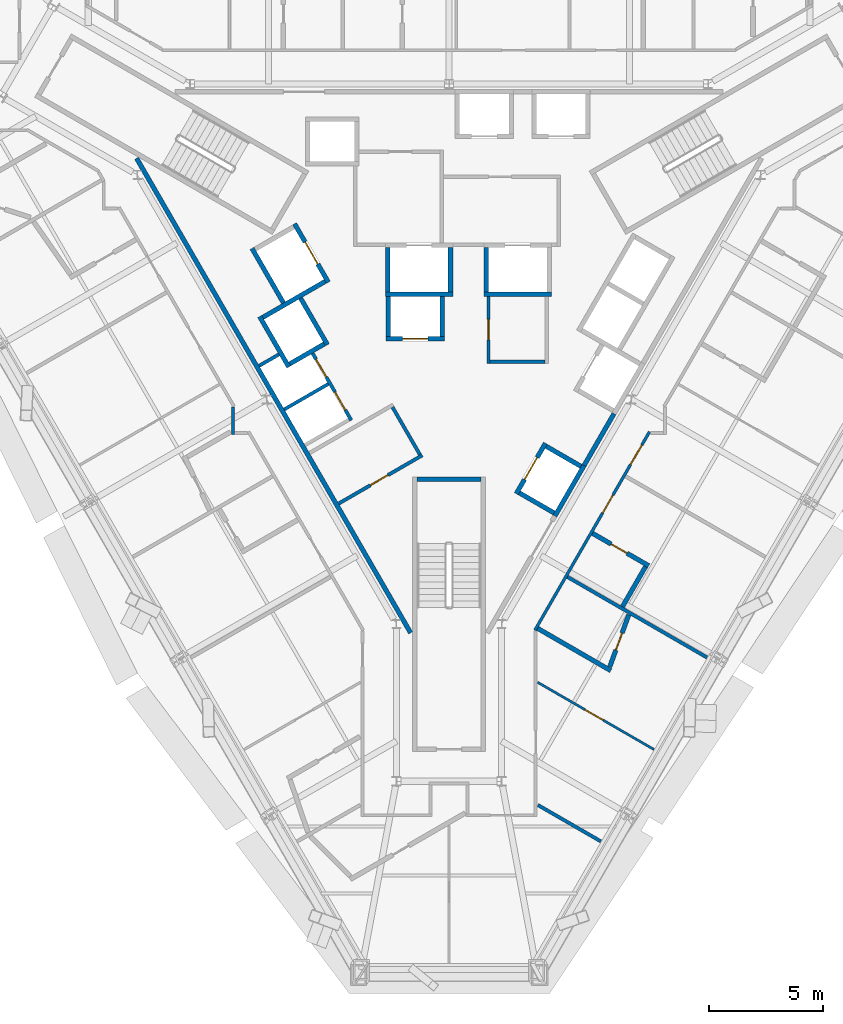
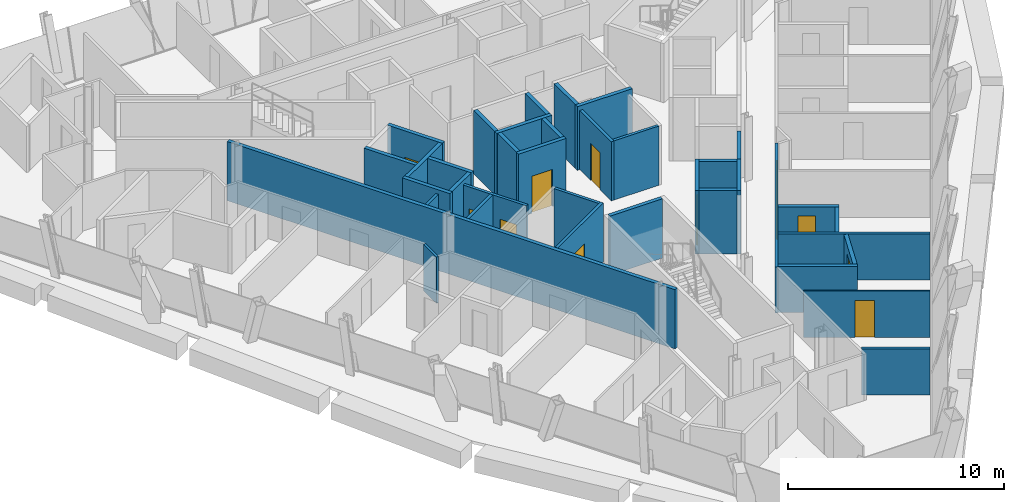
# One storey, part 8 of 13: 37 walls, 12 doors, 12 openings.
"""IFC4 building model written with IfcOpenShell, lengths in metres."""

import ifcopenshell
import ifcopenshell.guid

model = None  # the IFC model being written
_history = None  # IfcOwnerHistory: only IFC2X3 demands one
_inside = {}  # id of a spatial element -> (the spatial element, [elements in it])
_under = {}  # id of a project, library or spatial element -> (it, [spatial elements below it])
_declared = {}  # id of a project -> (the project, [libraries it declares])
_typed = {}  # id of a type object -> (the type object, [elements of that type])
_made_of = {}  # id of a material, layer set ... -> (it, [elements and type objects made of it])


def new_model(schema):
    """Start an empty IFC model of exactly this schema.

    Asked for "IFC4X3", IfcOpenShell would pick the latest addendum, in which some entities
    have other attributes; the version numbers below select the first issue.
    IFC2X3 requires an IfcOwnerHistory on every rooted entity: one is made here for all.
    """
    global model, _history
    if schema == "IFC4X3":
        model = ifcopenshell.file(schema_version=(4, 3, 0, 0))
    else:
        model = ifcopenshell.file(schema=schema)
    _inside.clear()
    _under.clear()
    _declared.clear()
    _typed.clear()
    _made_of.clear()
    _history = None
    if model.schema == "IFC2X3":
        org = make("IfcOrganization", Name="unknown")
        user = make(
            "IfcPersonAndOrganization",
            ThePerson=make("IfcPerson", FamilyName="unknown"),
            TheOrganization=org,
        )
        app = make(
            "IfcApplication",
            ApplicationDeveloper=org,
            Version="unknown",
            ApplicationFullName="unknown",
            ApplicationIdentifier="unknown",
        )
        _history = make(
            "IfcOwnerHistory",
            OwningUser=user,
            OwningApplication=app,
            ChangeAction="ADDED",
            CreationDate=0,
        )
    return model


def make(cls, **values):
    """One entity of the class cls with the attributes given. An attribute that is None is left unset."""
    return model.create_entity(
        cls, **{name: value for name, value in values.items() if value is not None}
    )


def rooted(cls, **values):
    """An entity with a GlobalId (a new one), such as an element, a storey or a relation."""
    return make(cls, GlobalId=ifcopenshell.guid.new(), OwnerHistory=_history, **values)


def si_unit(unit_type, name, prefix=None):
    """IfcSIUnit, for example si_unit("LENGTHUNIT", "METRE", prefix="MILLI")."""
    return make("IfcSIUnit", UnitType=unit_type, Prefix=prefix, Name=name)


def assignment(units):
    """IfcUnitAssignment: the units of a project."""
    return None if units is None else make("IfcUnitAssignment", Units=units)


def point(xyz):
    """IfcCartesianPoint."""
    return None if xyz is None else make("IfcCartesianPoint", Coordinates=xyz)


def direction(xyz):
    """IfcDirection."""
    return None if xyz is None else make("IfcDirection", DirectionRatios=xyz)


def frame(location, z_axis=None, x_axis=None):
    """IfcAxis2Placement3D, a coordinate frame: its origin and axes. An axis left out is left unset."""
    return make(
        "IfcAxis2Placement3D",
        Location=point(location),
        Axis=direction(z_axis),
        RefDirection=direction(x_axis),
    )


def frame_2d(location, x_axis=None):
    """IfcAxis2Placement2D, a coordinate frame in the plane: its origin and x axis."""
    return make(
        "IfcAxis2Placement2D", Location=point(location), RefDirection=direction(x_axis)
    )


def origin():
    """The frame at (0, 0, 0) with its axes left unset."""
    return frame((0.0, 0.0, 0.0))


def place(relative_to, where):
    """IfcLocalPlacement: puts the frame where relative to a parent placement (None: the world)."""
    return make(
        "IfcLocalPlacement", PlacementRelTo=relative_to, RelativePlacement=where
    )


def context(
    kind, dimensions, precision=None, world=None, true_north=None, identifier=None
):
    """IfcGeometricRepresentationContext, for example the 3D "Model" context."""
    return make(
        "IfcGeometricRepresentationContext",
        ContextIdentifier=identifier,
        ContextType=kind,
        CoordinateSpaceDimension=dimensions,
        Precision=precision,
        WorldCoordinateSystem=world,
        TrueNorth=true_north,
    )


def subcontext(parent, identifier, kind, view, scale=None):
    """IfcGeometricRepresentationSubContext, for example "Body" below "Model"."""
    return make(
        "IfcGeometricRepresentationSubContext",
        ContextIdentifier=identifier,
        ContextType=kind,
        ParentContext=parent,
        TargetScale=scale,
        TargetView=view,
    )


def project(units=None, contexts=None):
    """IfcProject with its units and contexts."""
    return rooted(
        "IfcProject",
        Name="project",
        RepresentationContexts=contexts,
        UnitsInContext=assignment(units),
    )


def spatial(cls, under=None, at=None, **own):
    """A site, building, storey or space (cls), placed at a placement, below another one or the project."""
    s = rooted(cls, ObjectPlacement=at, **own)
    if under is not None:
        _under.setdefault(under.id(), (under, []))[1].append(s)
    return s


def profile(cls, at=None, kind="AREA", **sizes):
    """A parametric profile (cls). Its sizes go by their IFC names, for example OverallWidth=200.0."""
    return make(cls, ProfileType=kind, Position=at, **sizes)


def rectangle(**sizes):
    """IfcRectangleProfileDef."""
    return profile("IfcRectangleProfileDef", **sizes)


def extrude(swept, where, along, depth):
    """IfcExtrudedAreaSolid: the profile swept, set in the frame where, extruded along a direction by depth."""
    return make(
        "IfcExtrudedAreaSolid",
        SweptArea=swept,
        Position=where,
        ExtrudedDirection=direction(along),
        Depth=depth,
    )


def shape(context_of_items, identifier, shape_type, items):
    """IfcShapeRepresentation: the items that make up one representation, for example the "Body"."""
    return make(
        "IfcShapeRepresentation",
        ContextOfItems=context_of_items,
        RepresentationIdentifier=identifier,
        RepresentationType=shape_type,
        Items=items,
    )


def material(Name=None, Category=None):
    """IfcMaterial."""
    return make("IfcMaterial", Name=Name, Category=Category)


def layer(
    of_material, thickness, ventilated=None, Name=None, Category=None, Priority=None
):
    """IfcMaterialLayer: one layer of a wall or slab, of a material (None: an air gap)."""
    return make(
        "IfcMaterialLayer",
        Material=of_material,
        LayerThickness=thickness,
        IsVentilated=ventilated,
        Name=Name,
        Category=Category,
        Priority=Priority,
    )


def layer_set(layers, Name=None):
    """IfcMaterialLayerSet."""
    return make("IfcMaterialLayerSet", MaterialLayers=layers, LayerSetName=Name)


def made_of(thing, what):
    """Note that an element or type object is made of a material, layer set ...; save() writes the relation."""
    if what is not None:
        _made_of.setdefault(what.id(), (what, []))[1].append(thing)
    return thing


def type_object(cls, material=None, **own):
    """A type object (cls), such as IfcWallType, which elements share."""
    return made_of(rooted(cls, **own), material)


def element(
    cls,
    number,
    at=None,
    inside=None,
    cuts=None,
    type_object=None,
    material=None,
    context=None,
    identifier="Body",
    shape_type=None,
    held_by="IfcProductDefinitionShape",
    body=None,
    shapes=None,
    **own,
):
    """One element of the class cls, such as IfcWall. Its Tag is "e" and its number.

    at: its placement. inside: the storey or other place that contains it. cuts: it is an
    opening in that element (IfcRelVoidsElement). A single representation is given by context,
    identifier, shape_type and body (its items); several are given by shapes. held_by: the class
    of the entity that holds the representations. save() writes the other relations.
    """
    e = rooted(cls, Tag="e%d" % number, ObjectPlacement=at, **own)
    if body is not None:
        shapes = [shape(context, identifier, shape_type, body)]
    if shapes is not None:
        e.Representation = make(held_by, Representations=shapes)
    if inside is not None:
        _inside.setdefault(inside.id(), (inside, []))[1].append(e)
    if cuts is not None:
        rooted(
            "IfcRelVoidsElement", RelatingBuildingElement=cuts, RelatedOpeningElement=e
        )
    if type_object is not None:
        _typed.setdefault(type_object.id(), (type_object, []))[1].append(e)
    return made_of(e, material)


def fill(opening, filler):
    """IfcRelFillsElement: the door or window that sits in an opening."""
    return rooted(
        "IfcRelFillsElement",
        RelatingOpeningElement=opening,
        RelatedBuildingElement=filler,
    )


def aggregate(whole, parts):
    """IfcRelAggregates: a whole, such as a stair, and the parts it consists of."""
    return rooted("IfcRelAggregates", RelatingObject=whole, RelatedObjects=parts)


def save(model, path):
    """Write the relations noted so far, then the file.

    IfcRelAggregates (storeys below a building ...), IfcRelContainedInSpatialStructure (elements
    in a storey), IfcRelDefinesByType, IfcRelAssociatesMaterial and IfcRelDeclares: one each for
    every whole, place, type object, material and project.
    """
    for whole, parts in _under.values():
        aggregate(whole, parts)
    for where, things in _inside.values():
        rooted(
            "IfcRelContainedInSpatialStructure",
            RelatedElements=things,
            RelatingStructure=where,
        )
    for kind, things in _typed.values():
        rooted("IfcRelDefinesByType", RelatedObjects=things, RelatingType=kind)
    for what, things in _made_of.values():
        rooted("IfcRelAssociatesMaterial", RelatedObjects=things, RelatingMaterial=what)
    for by, libraries in _declared.values():
        rooted("IfcRelDeclares", RelatingContext=by, RelatedDefinitions=libraries)
    model.write(path)


model = new_model("IFC4")

# Units and contexts
model_context = context("Model", 3, precision=1e-05, world=origin(), true_north=direction((0.0, 1.0)))
body_context = subcontext(model_context, "Body", "Model", "MODEL_VIEW")
ifc_project = project(units=[si_unit("LENGTHUNIT", "METRE"), si_unit("AREAUNIT", "SQUARE_METRE"), si_unit("VOLUMEUNIT", "CUBIC_METRE"), si_unit("PLANEANGLEUNIT", "RADIAN"), si_unit("MASSUNIT", "GRAM", prefix="KILO")], contexts=[model_context])

# Site, building, storey
site_placement = place(None, origin())
site = spatial("IfcSite", under=ifc_project, at=site_placement, CompositionType="ELEMENT")
building_placement = place(site_placement, origin())
building = spatial("IfcBuilding", under=site, at=building_placement, Name="Verrane Prism Tower", CompositionType="ELEMENT")
storey_placement = place(building_placement, frame((0.0, 0.0, 100.0)))
storey = spatial("IfcBuildingStorey", under=building, at=storey_placement, Name="L23", CompositionType="ELEMENT", Elevation=100.0)

# Walls
ifc_material_1 = material(Name="Gypsum board partition", Category="other")
ifc_layer_1 = layer(ifc_material_1, 0.199951171875)
ifc_layer_set_1 = layer_set([ifc_layer_1], Name="CW-200 core boundary wall 2 h")
wall_type_1 = type_object("IfcWallType", Name="CW-200 core boundary wall 2 h", PredefinedType="PARTITIONING", material=ifc_layer_set_1)
wall_1_placement = place(storey_placement, frame((-13.66357421875, 5.946044921875, 0.0), z_axis=(0.0, 0.0, 1.0), x_axis=(0.499994327219, -0.866028678941, 0.0)))
element("IfcWall", 1, at=wall_1_placement, inside=storey, type_object=wall_type_1, Name="Core boundary wall CW3-001", PredefinedType="PARTITIONING", context=body_context, shape_type="SweptSolid", body=[
    extrude(rectangle(XDim=23.967529296875, YDim=0.199951171875, at=frame_2d((11.98388671875, 0.0))), origin(), (0.0, 0.0, 1.0), 3.35009765625),
])
wall_2_placement = place(storey_placement, frame((5.906005859375, -7.489990234375, 0.0), z_axis=(0.0, 0.0, 1.0), x_axis=(0.500252727967, 0.865879442048, 0.0)))
element("IfcWall", 2, at=wall_2_placement, inside=storey, type_object=wall_type_1, Name="Core boundary wall CW3-005", PredefinedType="PARTITIONING", context=body_context, shape_type="SweptSolid", body=[
    extrude(rectangle(XDim=2.616943359375, YDim=0.199951171875, at=frame_2d((1.30859375, 0.0))), origin(), (0.0, 0.0, 1.0), 3.35009765625),
])
ifc_material_2 = material(Name="Concrete C40/50", Category="concrete")
ifc_layer_2 = layer(ifc_material_2, 0.199951171875)
ifc_layer_set_2 = layer_set([ifc_layer_2], Name="CW-200 stair core wall concrete C40/50 3 h")
wall_type_2 = type_object("IfcWallType", Name="CW-200 stair core wall concrete C40/50 3 h", PredefinedType="PARTITIONING", material=ifc_layer_set_2)
wall_3_placement = place(storey_placement, frame((-1.39990234375, -8.10009765625, 0.0), z_axis=(0.0, 0.0, 1.0), x_axis=(1.0, 0.0, 0.0)))
element("IfcWall", 3, at=wall_3_placement, inside=storey, type_object=wall_type_2, Name="Stair 3 enclosure wall", PredefinedType="PARTITIONING", context=body_context, shape_type="SweptSolid", body=[
    extrude(rectangle(XDim=2.7998046875, YDim=0.199951171875, at=frame_2d((1.39990234375, 0.0))), origin(), (0.0, 0.0, 1.0), 3.35009765625),
])

# Wall, opening, door
ifc_material_3 = material(Name="Gypsum board shaft wall assembly", Category="other")
ifc_layer_3 = layer(ifc_material_3, 0.199951171875)
ifc_layer_set_3 = layer_set([ifc_layer_3], Name="HW-200 lift shaft wall 2 h")
wall_type_3 = type_object("IfcWallType", Name="HW-200 lift shaft wall 2 h", PredefinedType="PARTITIONING", material=ifc_layer_set_3)
wall_4_placement = place(storey_placement, frame((-2.7548828125, -1.949951171875, 0.0), z_axis=(0.0, 0.0, 1.0), x_axis=(1.0, 0.0, 0.0)))
wall_4 = element("IfcWall", 4, at=wall_4_placement, inside=storey, type_object=wall_type_3, Name="Lift shaft wall", PredefinedType="PARTITIONING", context=body_context, shape_type="SweptSolid", body=[
    extrude(rectangle(XDim=2.5498046875, YDim=0.199951171875, at=frame_2d((1.27490234375, 0.0))), origin(), (0.0, 0.0, 1.0), 3.60009765625),
])
opening_1_placement = place(wall_4_placement, frame((0.72509765625, 0.0, 0.0)))
opening_1 = element("IfcOpeningElement", 5, at=opening_1_placement, cuts=wall_4, Name="Opening D21504", PredefinedType="OPENING", context=body_context, shape_type="SweptSolid", body=[
    extrude(rectangle(XDim=1.10009765625, YDim=2.10009765625, at=frame_2d((0.550048828125, 1.050048828125))), frame((0.0, 0.10986328125, 0.0), z_axis=(0.0, -1.0, 0.0), x_axis=(1.0, 0.0, 0.0)), (0.0, 0.0, 1.0), 0.219970703125),
])
ifc_material_4 = material(Name="Stainless steel sliding landing door", Category="steel")
door_type_1 = type_object("IfcDoorType", Name="LD-1100x2100 lift landing door FD90 sliding", OperationType="NOTDEFINED", PredefinedType="DOOR", material=ifc_material_4)
door_1_placement = place(opening_1_placement, origin())
door_1 = element("IfcDoor", 6, at=door_1_placement, inside=storey, type_object=door_type_1, Name="Bank A lift 2 landing door", OperationType="SLIDING_TO_RIGHT", OverallHeight=2.10009765625, OverallWidth=1.10009765625, PredefinedType="DOOR", context=body_context, shape_type="SweptSolid", body=[
    extrude(rectangle(XDim=1.10009765625, YDim=2.10009765625, at=frame_2d((0.550048828125, 1.050048828125))), frame((0.0, 0.02490234375, 0.0), z_axis=(0.0, -1.0, 0.0), x_axis=(1.0, 0.0, 0.0)), (0.0, 0.0, 1.0), 0.050048828125),
])
fill(opening_1, door_1)

# Walls
wall_5_placement = place(storey_placement, frame((-2.784912109375, 0.0, 0.0), z_axis=(0.0, 0.0, 1.0), x_axis=(1.0, 0.0, 0.0)))
element("IfcWall", 7, at=wall_5_placement, inside=storey, type_object=wall_type_3, Name="Lift shaft wall", PredefinedType="PARTITIONING", context=body_context, shape_type="SweptSolid", body=[
    extrude(rectangle(XDim=2.949951171875, YDim=0.199951171875, at=frame_2d((1.47509765625, 0.0))), origin(), (0.0, 0.0, 1.0), 3.60009765625),
])
wall_6_placement = place(storey_placement, frame((1.52490234375, 0.0, 0.0), z_axis=(0.0, 0.0, 1.0), x_axis=(1.0, 0.0, 0.0)))
element("IfcWall", 8, at=wall_6_placement, inside=storey, type_object=wall_type_3, Name="Lift shaft wall", PredefinedType="PARTITIONING", context=body_context, shape_type="SweptSolid", body=[
    extrude(rectangle(XDim=2.9501953125, YDim=0.199951171875, at=frame_2d((1.47509765625, 0.0))), origin(), (0.0, 0.0, 1.0), 3.60009765625),
])
wall_7_placement = place(storey_placement, frame((-6.9697265625, -3.048095703125, 0.0), z_axis=(0.0, 0.0, 1.0), x_axis=(0.866036909293, 0.499980071345, 0.0)))
element("IfcWall", 9, at=wall_7_placement, inside=storey, type_object=wall_type_3, Name="Lift shaft wall", PredefinedType="PARTITIONING", context=body_context, shape_type="SweptSolid", body=[
    extrude(rectangle(XDim=1.75, YDim=0.199951171875, at=frame_2d((0.875, 0.0))), origin(), (0.0, 0.0, 1.0), 3.60009765625),
])
wall_8_placement = place(storey_placement, frame((-8.14453125, -1.012939453125, 0.0), z_axis=(0.0, 0.0, 1.0), x_axis=(0.866016494683, 0.500015430699, 0.0)))
element("IfcWall", 10, at=wall_8_placement, inside=storey, type_object=wall_type_3, Name="Lift shaft wall", PredefinedType="PARTITIONING", context=body_context, shape_type="SweptSolid", body=[
    extrude(rectangle(XDim=3.14990234375, YDim=0.199951171875, at=frame_2d((1.574951171875, 0.0))), origin(), (0.0, 0.0, 1.0), 3.60009765625),
])
wall_9_placement = place(storey_placement, frame((4.63037109375, -9.69970703125, 0.0), z_axis=(0.0, 0.0, 1.0), x_axis=(0.500062241894, 0.865989465428, 0.0)))
element("IfcWall", 11, at=wall_9_placement, inside=storey, type_object=wall_type_3, Name="Lift shaft wall", PredefinedType="PARTITIONING", context=body_context, shape_type="SweptSolid", body=[
    extrude(rectangle(XDim=2.550048828125, YDim=0.199951171875, at=frame_2d((1.27490234375, 0.0))), origin(), (0.0, 0.0, 1.0), 3.60009765625),
])

# Wall, opening, door
wall_10_placement = place(storey_placement, frame((2.941650390625, -8.724853515625, 0.0), z_axis=(0.0, 0.0, 1.0), x_axis=(0.500020783669, 0.866013403995, 0.0)))
wall_10 = element("IfcWall", 12, at=wall_10_placement, inside=storey, type_object=wall_type_3, Name="Lift shaft wall", PredefinedType="PARTITIONING", context=body_context, shape_type="SweptSolid", body=[
    extrude(rectangle(XDim=2.55029296875, YDim=0.199951171875, at=frame_2d((1.275146484375, 0.0))), origin(), (0.0, 0.0, 1.0), 3.60009765625),
])
opening_2_placement = place(wall_10_placement, frame((0.72509765625, 0.0, 0.0)))
opening_2 = element("IfcOpeningElement", 13, at=opening_2_placement, cuts=wall_10, Name="Opening D21506", PredefinedType="OPENING", context=body_context, shape_type="SweptSolid", body=[
    extrude(rectangle(XDim=1.10009765625, YDim=2.10009765625, at=frame_2d((0.550048828125, 1.050048828125))), frame((0.0, 0.10986328125, 0.0), z_axis=(0.0, -1.0, 0.0), x_axis=(1.0, 0.0, 0.0)), (0.0, 0.0, 1.0), 0.219970703125),
])
door_2_placement = place(opening_2_placement, origin())
door_2 = element("IfcDoor", 14, at=door_2_placement, inside=storey, type_object=door_type_1, Name="Bank A lift 4 landing door", OperationType="SLIDING_TO_RIGHT", OverallHeight=2.10009765625, OverallWidth=1.10009765625, PredefinedType="DOOR", context=body_context, shape_type="SweptSolid", body=[
    extrude(rectangle(XDim=1.10009765625, YDim=2.10009765625, at=frame_2d((0.550048828125, 1.050048828125))), frame((0.0, 0.02490234375, 0.0), z_axis=(0.0, -1.0, 0.0), x_axis=(1.0, 0.0, 0.0)), (0.0, 0.0, 1.0), 0.050048828125),
])
fill(opening_2, door_2)

# Walls
for number, where, z_axis, x_axis, name in (
    (15, (1.625, 0.10009765625, 0.0), (0.0, 0.0, 1.0), (0.0, 1.0, 0.0), "Lift shaft wall"),
    (16, (0.06494140625, 0.10009765625, 0.0), (0.0, 0.0, 1.0), (0.0, 1.0, 0.0), "Lift shaft wall"),
):
    element("IfcWall", number, at=place(storey_placement, frame(where, z_axis=z_axis, x_axis=x_axis)), inside=storey, type_object=wall_type_3, Name=name, PredefinedType="PARTITIONING", context=body_context, shape_type="SweptSolid", body=[
        extrude(rectangle(XDim=1.949951171875, YDim=0.199951171875, at=frame_2d((0.97509765625, 0.0))), origin(), (0.0, 0.0, 1.0), 3.60009765625),
    ])
for number, where, z_axis, x_axis, name in (
    (17, (-0.304931640625, -1.85009765625, 0.0), (0.0, 0.0, 1.0), (0.0, 1.0, 0.0), "Lift shaft wall"),
    (18, (-2.655029296875, -1.85009765625, 0.0), (0.0, 0.0, 1.0), (0.0, 1.0, 0.0), "Lift shaft wall"),
):
    element("IfcWall", number, at=place(storey_placement, frame(where, z_axis=z_axis, x_axis=x_axis)), inside=storey, type_object=wall_type_3, Name=name, PredefinedType="PARTITIONING", context=body_context, shape_type="SweptSolid", body=[
        extrude(rectangle(XDim=1.75, YDim=0.199951171875, at=frame_2d((0.875, 0.0))), origin(), (0.0, 0.0, 1.0), 3.60009765625),
    ])
wall_11_placement = place(storey_placement, frame((-2.68505859375, 0.10009765625, 0.0), z_axis=(0.0, 0.0, 1.0), x_axis=(0.0, 1.0, 0.0)))
element("IfcWall", 19, at=wall_11_placement, inside=storey, type_object=wall_type_3, Name="Lift shaft wall", PredefinedType="PARTITIONING", context=body_context, shape_type="SweptSolid", body=[
    extrude(rectangle(XDim=1.949951171875, YDim=0.199951171875, at=frame_2d((0.97509765625, 0.0))), origin(), (0.0, 0.0, 1.0), 3.60009765625),
])

# Wall, opening, door
wall_12_placement = place(storey_placement, frame((-5.280029296875, 0.525390625, 0.0), z_axis=(0.0, 0.0, 1.0), x_axis=(-0.500037662692, 0.866003658127, 0.0)))
wall_12 = element("IfcWall", 20, at=wall_12_placement, inside=storey, type_object=wall_type_3, Name="Lift shaft wall", PredefinedType="PARTITIONING", context=body_context, shape_type="SweptSolid", body=[
    extrude(rectangle(XDim=2.949951171875, YDim=0.199951171875, at=frame_2d((1.47509765625, 0.0))), origin(), (0.0, 0.0, 1.0), 3.60009765625),
])
opening_3_placement = place(wall_12_placement, frame((0.925048828125, 0.0, 0.0)))
opening_3 = element("IfcOpeningElement", 21, at=opening_3_placement, cuts=wall_12, Name="Opening D21510", PredefinedType="OPENING", context=body_context, shape_type="SweptSolid", body=[
    extrude(rectangle(XDim=1.10009765625, YDim=2.10009765625, at=frame_2d((0.550048828125, 1.050048828125))), frame((0.0, 0.10986328125, 0.0), z_axis=(0.0, -1.0, 0.0), x_axis=(1.0, 0.0, 0.0)), (0.0, 0.0, 1.0), 0.219970703125),
])
door_3_placement = place(opening_3_placement, origin())
door_3 = element("IfcDoor", 22, at=door_3_placement, inside=storey, type_object=door_type_1, Name="Service lift 1 landing door", OperationType="SLIDING_TO_LEFT", OverallHeight=2.10009765625, OverallWidth=1.10009765625, PredefinedType="DOOR", context=body_context, shape_type="SweptSolid", body=[
    extrude(rectangle(XDim=1.10009765625, YDim=2.10009765625, at=frame_2d((0.550048828125, 1.050048828125))), frame((0.0, 0.02490234375, 0.0), z_axis=(0.0, -1.0, 0.0), x_axis=(1.0, 0.0, 0.0)), (0.0, 0.0, 1.0), 0.050048828125),
])
fill(opening_3, door_3)

# Walls
wall_13_placement = place(storey_placement, frame((-5.317626953125, -2.209716796875, 0.0), z_axis=(0.0, 0.0, 1.0), x_axis=(-0.499938297808, 0.866061024631, 0.0)))
element("IfcWall", 23, at=wall_13_placement, inside=storey, type_object=wall_type_3, Name="Lift shaft wall", PredefinedType="PARTITIONING", context=body_context, shape_type="SweptSolid", body=[
    extrude(rectangle(XDim=2.349853515625, YDim=0.199951171875, at=frame_2d((1.1748046875, 0.0))), origin(), (0.0, 0.0, 1.0), 3.60009765625),
])
wall_14_placement = place(storey_placement, frame((-7.241943359375, -0.37646484375, 0.0), z_axis=(0.0, 0.0, 1.0), x_axis=(-0.499996545922, 0.866027397988, 0.0)))
element("IfcWall", 24, at=wall_14_placement, inside=storey, type_object=wall_type_3, Name="Lift shaft wall", PredefinedType="PARTITIONING", context=body_context, shape_type="SweptSolid", body=[
    extrude(rectangle(XDim=2.75, YDim=0.199951171875, at=frame_2d((1.375, 0.0))), origin(), (0.0, 0.0, 1.0), 3.60009765625),
])
wall_15_placement = place(storey_placement, frame((-7.00634765625, -3.184814453125, 0.0), z_axis=(0.0, 0.0, 1.0), x_axis=(-0.499990435942, 0.866030925526, 0.0)))
element("IfcWall", 25, at=wall_15_placement, inside=storey, type_object=wall_type_3, Name="Lift shaft wall", PredefinedType="PARTITIONING", context=body_context, shape_type="SweptSolid", body=[
    extrude(rectangle(XDim=2.5498046875, YDim=0.199951171875, at=frame_2d((1.27490234375, 0.0))), origin(), (0.0, 0.0, 1.0), 3.60009765625),
])
wall_16_placement = place(storey_placement, frame((5.768798828125, -7.528076171875, 0.0), z_axis=(0.0, 0.0, 1.0), x_axis=(-0.866002029911, 0.500040482552, 0.0)))
element("IfcWall", 26, at=wall_16_placement, inside=storey, type_object=wall_type_3, Name="Lift shaft wall", PredefinedType="PARTITIONING", context=body_context, shape_type="SweptSolid", body=[
    extrude(rectangle(XDim=1.749755859375, YDim=0.199951171875, at=frame_2d((0.875, 0.0))), origin(), (0.0, 0.0, 1.0), 3.60009765625),
])
wall_17_placement = place(storey_placement, frame((4.593994140625, -9.563232421875, 0.0), z_axis=(0.0, 0.0, 1.0), x_axis=(-0.866036909293, 0.499980071345, 0.0)))
element("IfcWall", 27, at=wall_17_placement, inside=storey, type_object=wall_type_3, Name="Lift shaft wall", PredefinedType="PARTITIONING", context=body_context, shape_type="SweptSolid", body=[
    extrude(rectangle(XDim=1.75, YDim=0.199951171875, at=frame_2d((0.875, 0.0))), origin(), (0.0, 0.0, 1.0), 3.60009765625),
])

# Wall, opening, door
ifc_material_5 = material(Name="Gypsum board partition", Category="other")
ifc_layer_4 = layer(ifc_material_5, 0.10009765625)
ifc_layer_set_4 = layer_set([ifc_layer_4], Name="PW-100 room partition")
wall_type_4 = type_object("IfcWallType", Name="PW-100 room partition", PredefinedType="PARTITIONING", material=ifc_layer_set_4)
wall_18_placement = place(storey_placement, frame((3.87451171875, -16.972412109375, 0.0), z_axis=(0.0, 0.0, 1.0), x_axis=(0.86602429061, -0.500001928069, 0.0)))
wall_18 = element("IfcWall", 28, at=wall_18_placement, inside=storey, type_object=wall_type_4, Name="Room partition 058", PredefinedType="PARTITIONING", context=body_context, shape_type="SweptSolid", body=[
    extrude(rectangle(XDim=5.873046875, YDim=0.10009765625, at=frame_2d((2.9365234375, 0.0))), origin(), (0.0, 0.0, 1.0), 2.613037109375),
])
opening_4_placement = place(wall_18_placement, frame((2.39892578125, 0.0, 0.0)))
opening_4 = element("IfcOpeningElement", 29, at=opening_4_placement, cuts=wall_18, Name="Opening D21002", PredefinedType="OPENING", context=body_context, shape_type="SweptSolid", body=[
    extrude(rectangle(XDim=0.89990234375, YDim=2.10009765625, at=frame_2d((0.449951171875, 1.050048828125))), frame((0.0, 0.06005859375, 0.0), z_axis=(0.0, -1.0, 0.0), x_axis=(1.0, 0.0, 0.0)), (0.0, 0.0, 1.0), 0.1201171875),
])
ifc_material_6 = material(Name="Timber veneered door leaf", Category="wood")
door_type_2 = type_object("IfcDoorType", Name="DR-900x2100 single leaf inner", OperationType="NOTDEFINED", PredefinedType="DOOR", material=ifc_material_6)
door_4_placement = place(opening_4_placement, origin())
door_4 = element("IfcDoor", 30, at=door_4_placement, inside=storey, type_object=door_type_2, Name="Suite Living Room door", OperationType="SINGLE_SWING_RIGHT", OverallHeight=2.10009765625, OverallWidth=0.89990234375, PredefinedType="DOOR", context=body_context, shape_type="SweptSolid", body=[
    extrude(rectangle(XDim=0.89990234375, YDim=2.10009765625, at=frame_2d((0.449951171875, 1.050048828125))), frame((0.0, 0.02490234375, 0.0), z_axis=(0.0, -1.0, 0.0), x_axis=(1.0, 0.0, 0.0)), (0.0, 0.0, 1.0), 0.050048828125),
])
fill(opening_4, door_4)

# Wall
ifc_material_7 = material(Name="Gypsum board partition", Category="other")
ifc_layer_5 = layer(ifc_material_7, 0.125)
ifc_layer_set_5 = layer_set([ifc_layer_5], Name="PW-125 corridor wall 1 h")
wall_type_5 = type_object("IfcWallType", Name="PW-125 corridor wall 1 h", PredefinedType="PARTITIONING", material=ifc_layer_set_5)
wall_19_placement = place(storey_placement, frame((-9.44091796875, -6.133544921875, 0.0), z_axis=(0.0, 0.0, 1.0), x_axis=(0.0, 1.0, 0.0)))
element("IfcWall", 31, at=wall_19_placement, inside=storey, type_object=wall_type_5, Name="Corridor wall 033", PredefinedType="PARTITIONING", context=body_context, shape_type="SweptSolid", body=[
    extrude(rectangle(XDim=1.200439453125, YDim=0.125, at=frame_2d((0.60009765625, 0.0))), origin(), (0.0, 0.0, 1.0), 2.613037109375),
])

# Wall, openings, doors
wall_20_placement = place(storey_placement, frame((8.766357421875, -6.016845703125, 0.0), z_axis=(0.0, 0.0, 1.0), x_axis=(-0.500051472265, -0.865995684219, 0.0)))
wall_20 = element("IfcWall", 32, at=wall_20_placement, inside=storey, type_object=wall_type_5, Name="Corridor wall 059", PredefinedType="PARTITIONING", context=body_context, shape_type="SweptSolid", body=[
    extrude(rectangle(XDim=10.02001953125, YDim=0.125, at=frame_2d((5.010009765625, 0.0))), origin(), (0.0, 0.0, 1.0), 2.613037109375),
])
opening_5_placement = place(wall_20_placement, frame((3.1904296875, 0.0, 0.0)))
opening_5 = element("IfcOpeningElement", 33, at=opening_5_placement, cuts=wall_20, Name="Opening D21004", PredefinedType="OPENING", context=body_context, shape_type="SweptSolid", body=[
    extrude(rectangle(XDim=0.89990234375, YDim=2.10009765625, at=frame_2d((0.449951171875, 1.050048828125))), frame((0.0, 0.072509765625, 0.0), z_axis=(0.0, -1.0, 0.0), x_axis=(1.0, 0.0, 0.0)), (0.0, 0.0, 1.0), 0.14501953125),
])
opening_6_placement = place(wall_20_placement, frame((0.658447265625, 0.0, 0.0)))
opening_6 = element("IfcOpeningElement", 34, at=opening_6_placement, cuts=wall_20, Name="Opening D21006", PredefinedType="OPENING", context=body_context, shape_type="SweptSolid", body=[
    extrude(rectangle(XDim=1.0, YDim=2.10009765625, at=frame_2d((0.5, 1.050048828125))), frame((0.0, 0.072509765625, 0.0), z_axis=(0.0, -1.0, 0.0), x_axis=(1.0, 0.0, 0.0)), (0.0, 0.0, 1.0), 0.14501953125),
])
ifc_material_8 = material(Name="Timber veneered door leaf", Category="wood")
door_type_3 = type_object("IfcDoorType", Name="DR-1000x2100 FD20 single leaf unit", OperationType="NOTDEFINED", PredefinedType="DOOR", material=ifc_material_8)
door_5_placement = place(opening_6_placement, origin())
door_5 = element("IfcDoor", 35, at=door_5_placement, inside=storey, type_object=door_type_3, Name="Suite Living Room door", OperationType="SINGLE_SWING_LEFT", OverallHeight=2.10009765625, OverallWidth=1.0, PredefinedType="DOOR", context=body_context, shape_type="SweptSolid", body=[
    extrude(rectangle(XDim=1.0, YDim=2.10009765625, at=frame_2d((0.5, 1.050048828125))), frame((0.0, 0.02490234375, 0.0), z_axis=(0.0, -1.0, 0.0), x_axis=(1.0, 0.0, 0.0)), (0.0, 0.0, 1.0), 0.050048828125),
])
fill(opening_6, door_5)
ifc_material_9 = material(Name="Timber veneered door leaf", Category="wood")
door_type_4 = type_object("IfcDoorType", Name="DR-900x2100 FD20 single leaf unit", OperationType="NOTDEFINED", PredefinedType="DOOR", material=ifc_material_9)
door_6_placement = place(opening_5_placement, origin())
door_6 = element("IfcDoor", 36, at=door_6_placement, inside=storey, type_object=door_type_4, Name="Guest Room door", OperationType="SINGLE_SWING_LEFT", OverallHeight=2.10009765625, OverallWidth=0.89990234375, PredefinedType="DOOR", context=body_context, shape_type="SweptSolid", body=[
    extrude(rectangle(XDim=0.89990234375, YDim=2.10009765625, at=frame_2d((0.449951171875, 1.050048828125))), frame((0.0, 0.02490234375, 0.0), z_axis=(0.0, -1.0, 0.0), x_axis=(1.0, 0.0, 0.0)), (0.0, 0.0, 1.0), 0.050048828125),
])
fill(opening_5, door_6)

# Walls
ifc_material_10 = material(Name="Gypsum board partition", Category="other")
ifc_layer_6 = layer(ifc_material_10, 0.14990234375)
ifc_layer_set_6 = layer_set([ifc_layer_6], Name="PW-150 demising wall 1 h")
wall_type_6 = type_object("IfcWallType", Name="PW-150 demising wall 1 h", PredefinedType="PARTITIONING", material=ifc_layer_set_6)
wall_21_placement = place(storey_placement, frame((3.886962890625, -22.33984375, 0.0), z_axis=(0.0, 0.0, 1.0), x_axis=(0.866065365018, -0.499930778725, 0.0)))
element("IfcWall", 37, at=wall_21_placement, inside=storey, type_object=wall_type_6, Name="Demising wall 057", PredefinedType="PARTITIONING", context=body_context, shape_type="SweptSolid", body=[
    extrude(rectangle(XDim=3.1787109375, YDim=0.14990234375, at=frame_2d((1.58935546875, 0.0))), origin(), (0.0, 0.0, 1.0), 2.613037109375),
])
wall_22_placement = place(storey_placement, frame((5.175048828125, -12.3623046875, 0.0), z_axis=(0.0, 0.0, 1.0), x_axis=(0.866031654768, -0.499989172823, 0.0)))
element("IfcWall", 38, at=wall_22_placement, inside=storey, type_object=wall_type_6, Name="Demising wall 061", PredefinedType="PARTITIONING", context=body_context, shape_type="SweptSolid", body=[
    extrude(rectangle(XDim=7.052001953125, YDim=0.14990234375, at=frame_2d((3.52587890625, 0.0))), origin(), (0.0, 0.0, 1.0), 2.613037109375),
])
ifc_material_11 = material(Name="Gypsum board partition", Category="other")
ifc_layer_7 = layer(ifc_material_11, 0.199951171875)
ifc_layer_set_7 = layer_set([ifc_layer_7], Name="PW-200 plumbing wall")
wall_type_7 = type_object("IfcWallType", Name="PW-200 plumbing wall", PredefinedType="PARTITIONING", material=ifc_layer_set_7)
wall_23_placement = place(storey_placement, frame((3.875244140625, -14.61328125, 0.0), z_axis=(0.0, 0.0, 1.0), x_axis=(0.865890522866, -0.500233547866, 0.0)))
element("IfcWall", 39, at=wall_23_placement, inside=storey, type_object=wall_type_7, Name="Plumbing wall 060", PredefinedType="PARTITIONING", context=body_context, shape_type="SweptSolid", body=[
    extrude(rectangle(XDim=3.693603515625, YDim=0.199951171875, at=frame_2d((1.8466796875, 0.0))), origin(), (0.0, 0.0, 1.0), 2.613037109375),
])

# Wall, opening, door
wall_24_placement = place(storey_placement, frame((8.732666015625, -11.875, 0.0), z_axis=(0.0, 0.0, 1.0), x_axis=(-0.866048046904, 0.499960778915, 0.0)))
wall_24 = element("IfcWall", 40, at=wall_24_placement, inside=storey, type_object=wall_type_7, Name="Plumbing wall 063", PredefinedType="PARTITIONING", context=body_context, shape_type="SweptSolid", body=[
    extrude(rectangle(XDim=2.837646484375, YDim=0.199951171875, at=frame_2d((1.4189453125, 0.0))), origin(), (0.0, 0.0, 1.0), 2.613037109375),
])
opening_7_placement = place(wall_24_placement, frame((1.10009765625, 0.0, 0.0)))
opening_7 = element("IfcOpeningElement", 41, at=opening_7_placement, cuts=wall_24, Name="Opening D21005", PredefinedType="OPENING", context=body_context, shape_type="SweptSolid", body=[
    extrude(rectangle(XDim=0.800048828125, YDim=2.10009765625, at=frame_2d((0.39990234375, 1.050048828125))), frame((0.0, 0.10986328125, 0.0), z_axis=(0.0, -1.0, 0.0), x_axis=(1.0, 0.0, 0.0)), (0.0, 0.0, 1.0), 0.219970703125),
])
ifc_material_12 = material(Name="Timber veneered door leaf", Category="wood")
door_type_5 = type_object("IfcDoorType", Name="DR-800x2100 single leaf bath", OperationType="NOTDEFINED", PredefinedType="DOOR", material=ifc_material_12)
door_7_placement = place(opening_7_placement, origin())
door_7 = element("IfcDoor", 42, at=door_7_placement, inside=storey, type_object=door_type_5, Name="En-Suite door", OperationType="SINGLE_SWING_RIGHT", OverallHeight=2.10009765625, OverallWidth=0.800048828125, PredefinedType="DOOR", context=body_context, shape_type="SweptSolid", body=[
    extrude(rectangle(XDim=0.800048828125, YDim=2.10009765625, at=frame_2d((0.39990234375, 1.050048828125))), frame((0.0, 0.02490234375, 0.0), z_axis=(0.0, -1.0, 0.0), x_axis=(1.0, 0.0, 0.0)), (0.0, 0.0, 1.0), 0.050048828125),
])
fill(opening_7, door_7)

wall_25_placement = place(storey_placement, frame((7.028076171875, -16.29833984375, 0.0), z_axis=(0.0, 0.0, 1.0), x_axis=(0.342817359533, 0.939402074728, 0.0)))
wall_25 = element("IfcWall", 43, at=wall_25_placement, inside=storey, type_object=wall_type_7, Name="Plumbing wall 064", PredefinedType="PARTITIONING", context=body_context, shape_type="SweptSolid", body=[
    extrude(rectangle(XDim=2.42626953125, YDim=0.199951171875, at=frame_2d((1.213134765625, 0.0))), origin(), (0.0, 0.0, 1.0), 2.613037109375),
])
opening_8_placement = place(wall_25_placement, frame((0.780029296875, 0.0, 0.0)))
opening_8 = element("IfcOpeningElement", 44, at=opening_8_placement, cuts=wall_25, Name="Opening D21003", PredefinedType="OPENING", context=body_context, shape_type="SweptSolid", body=[
    extrude(rectangle(XDim=0.800048828125, YDim=2.10009765625, at=frame_2d((0.39990234375, 1.050048828125))), frame((0.0, 0.10986328125, 0.0), z_axis=(0.0, -1.0, 0.0), x_axis=(1.0, 0.0, 0.0)), (0.0, 0.0, 1.0), 0.219970703125),
])
door_8_placement = place(opening_8_placement, origin())
door_8 = element("IfcDoor", 45, at=door_8_placement, inside=storey, type_object=door_type_5, Name="En-Suite door", OperationType="SINGLE_SWING_LEFT", OverallHeight=2.10009765625, OverallWidth=0.800048828125, PredefinedType="DOOR", context=body_context, shape_type="SweptSolid", body=[
    extrude(rectangle(XDim=0.800048828125, YDim=2.10009765625, at=frame_2d((0.39990234375, 1.050048828125))), frame((0.0, 0.02490234375, 0.0), z_axis=(0.0, -1.0, 0.0), x_axis=(1.0, 0.0, 0.0)), (0.0, 0.0, 1.0), 0.050048828125),
])
fill(opening_8, door_8)

# Walls
wall_26_placement = place(storey_placement, frame((7.58349609375, -13.666015625, 0.0), z_axis=(0.0, 0.0, 1.0), x_axis=(0.49983374806, 0.866121368112, 0.0)))
element("IfcWall", 46, at=wall_26_placement, inside=storey, type_object=wall_type_7, Name="Plumbing wall 065", PredefinedType="PARTITIONING", context=body_context, shape_type="SweptSolid", body=[
    extrude(rectangle(XDim=2.025634765625, YDim=0.199951171875, at=frame_2d((1.0126953125, 0.0))), origin(), (0.0, 0.0, 1.0), 2.613037109375),
])
ifc_material_13 = material(Name="Gypsum board partition", Category="other")
ifc_layer_8 = layer(ifc_material_13, 0.14990234375)
ifc_layer_set_8 = layer_set([ifc_layer_8], Name="RS-150 riser enclosure wall 1 h")
wall_type_8 = type_object("IfcWallType", Name="RS-150 riser enclosure wall 1 h", PredefinedType="PARTITIONING", material=ifc_layer_set_8)
wall_27_placement = place(storey_placement, frame((-8.306396484375, -3.133056640625, 0.0), z_axis=(0.0, 0.0, 1.0), x_axis=(0.86606747808, 0.499927118101, 0.0)))
element("IfcWall", 47, at=wall_27_placement, inside=storey, type_object=wall_type_8, Name="Riser wall RS3-001", PredefinedType="PARTITIONING", context=body_context, shape_type="SweptSolid", body=[
    extrude(rectangle(XDim=0.998291015625, YDim=0.14990234375, at=frame_2d((0.4990234375, 0.0))), origin(), (0.0, 0.0, 1.0), 3.35009765625),
])
wall_28_placement = place(storey_placement, frame((-7.206298828125, -5.0380859375, 0.0), z_axis=(0.0, 0.0, 1.0), x_axis=(0.865944298464, 0.500140452231, 0.0)))
element("IfcWall", 48, at=wall_28_placement, inside=storey, type_object=wall_type_8, Name="Riser wall RS3-002", PredefinedType="PARTITIONING", context=body_context, shape_type="SweptSolid", body=[
    extrude(rectangle(XDim=2.224365234375, YDim=0.14990234375, at=frame_2d((1.1123046875, 0.0))), origin(), (0.0, 0.0, 1.0), 3.35009765625),
])

# Wall, openings, doors
wall_29_placement = place(storey_placement, frame((-4.277587890625, -5.511962890625, 0.0), z_axis=(0.0, 0.0, 1.0), x_axis=(-0.499933120428, 0.86606401328, 0.0)))
wall_29 = element("IfcWall", 49, at=wall_29_placement, inside=storey, type_object=wall_type_8, Name="Riser wall RS3-005", PredefinedType="PARTITIONING", context=body_context, shape_type="SweptSolid", body=[
    extrude(rectangle(XDim=3.37744140625, YDim=0.14990234375, at=frame_2d((1.688720703125, 0.0))), origin(), (0.0, 0.0, 1.0), 3.35009765625),
])
opening_9_placement = place(wall_29_placement, frame((2.17724609375, 0.0, 0.0)))
opening_9 = element("IfcOpeningElement", 50, at=opening_9_placement, cuts=wall_29, Name="Opening D21512", PredefinedType="OPENING", context=body_context, shape_type="SweptSolid", body=[
    extrude(rectangle(XDim=0.89990234375, YDim=2.10009765625, at=frame_2d((0.449951171875, 1.050048828125))), frame((0.0, 0.0849609375, 0.0), z_axis=(0.0, -1.0, 0.0), x_axis=(1.0, 0.0, 0.0)), (0.0, 0.0, 1.0), 0.169921875),
])
opening_10_placement = place(wall_29_placement, frame((0.525390625, 0.0, 0.0)))
opening_10 = element("IfcOpeningElement", 51, at=opening_10_placement, cuts=wall_29, Name="Opening D21513", PredefinedType="OPENING", context=body_context, shape_type="SweptSolid", body=[
    extrude(rectangle(XDim=0.89990234375, YDim=2.10009765625, at=frame_2d((0.449951171875, 1.050048828125))), frame((0.0, 0.0849609375, 0.0), z_axis=(0.0, -1.0, 0.0), x_axis=(1.0, 0.0, 0.0)), (0.0, 0.0, 1.0), 0.169921875),
])
ifc_material_14 = material(Name="Timber veneered door leaf", Category="wood")
door_type_6 = type_object("IfcDoorType", Name="DR-900x2100 FD60 single leaf riser", OperationType="NOTDEFINED", PredefinedType="DOOR", material=ifc_material_14)
door_9_placement = place(opening_9_placement, origin())
door_9 = element("IfcDoor", 52, at=door_9_placement, inside=storey, type_object=door_type_6, Name="Riser door D21512", OperationType="SINGLE_SWING_RIGHT", OverallHeight=2.10009765625, OverallWidth=0.89990234375, PredefinedType="DOOR", context=body_context, shape_type="SweptSolid", body=[
    extrude(rectangle(XDim=0.89990234375, YDim=2.10009765625, at=frame_2d((0.449951171875, 1.050048828125))), frame((0.0, 0.02490234375, 0.0), z_axis=(0.0, -1.0, 0.0), x_axis=(1.0, 0.0, 0.0)), (0.0, 0.0, 1.0), 0.050048828125),
])
fill(opening_9, door_9)
door_10_placement = place(opening_10_placement, origin())
door_10 = element("IfcDoor", 53, at=door_10_placement, inside=storey, type_object=door_type_6, Name="Riser door D21513", OperationType="SINGLE_SWING_LEFT", OverallHeight=2.10009765625, OverallWidth=0.89990234375, PredefinedType="DOOR", context=body_context, shape_type="SweptSolid", body=[
    extrude(rectangle(XDim=0.89990234375, YDim=2.10009765625, at=frame_2d((0.449951171875, 1.050048828125))), frame((0.0, 0.02490234375, 0.0), z_axis=(0.0, -1.0, 0.0), x_axis=(1.0, 0.0, 0.0)), (0.0, 0.0, 1.0), 0.050048828125),
])
fill(opening_10, door_10)

# Wall, opening, door
wall_30_placement = place(storey_placement, frame((-4.824951171875, -9.153564453125, 0.0), z_axis=(0.0, 0.0, 1.0), x_axis=(0.866023738697, 0.500002884005, 0.0)))
wall_30 = element("IfcWall", 54, at=wall_30_placement, inside=storey, type_object=wall_type_8, Name="Riser wall RS3-006", PredefinedType="PARTITIONING", context=body_context, shape_type="SweptSolid", body=[
    extrude(rectangle(XDim=4.22021484375, YDim=0.14990234375, at=frame_2d((2.110107421875, 0.0))), origin(), (0.0, 0.0, 1.0), 3.35009765625),
])
opening_11_placement = place(wall_30_placement, frame((1.594970703125, 0.0, 0.0)))
opening_11 = element("IfcOpeningElement", 55, at=opening_11_placement, cuts=wall_30, Name="Opening D21514", PredefinedType="OPENING", context=body_context, shape_type="SweptSolid", body=[
    extrude(rectangle(XDim=0.89990234375, YDim=2.10009765625, at=frame_2d((0.449951171875, 1.050048828125))), frame((0.0, 0.0849609375, 0.0), z_axis=(0.0, -1.0, 0.0), x_axis=(1.0, 0.0, 0.0)), (0.0, 0.0, 1.0), 0.169921875),
])
ifc_material_15 = material(Name="Timber veneered door leaf", Category="wood")
door_type_7 = type_object("IfcDoorType", Name="DR-900x2100 FD20 single leaf store", OperationType="NOTDEFINED", PredefinedType="DOOR", material=ifc_material_15)
door_11_placement = place(opening_11_placement, origin())
door_11 = element("IfcDoor", 56, at=door_11_placement, inside=storey, type_object=door_type_7, Name="Room door D21514", OperationType="SINGLE_SWING_LEFT", OverallHeight=2.10009765625, OverallWidth=0.89990234375, PredefinedType="DOOR", context=body_context, shape_type="SweptSolid", body=[
    extrude(rectangle(XDim=0.89990234375, YDim=2.10009765625, at=frame_2d((0.449951171875, 1.050048828125))), frame((0.0, 0.02490234375, 0.0), z_axis=(0.0, -1.0, 0.0), x_axis=(1.0, 0.0, 0.0)), (0.0, 0.0, 1.0), 0.050048828125),
])
fill(opening_11, door_11)

# Wall
wall_31_placement = place(storey_placement, frame((-2.472412109375, -4.93798828125, 0.0), z_axis=(0.0, 0.0, 1.0), x_axis=(0.500045362686, -0.865999212041, 0.0)))
element("IfcWall", 57, at=wall_31_placement, inside=storey, type_object=wall_type_8, Name="Riser wall RS3-007", PredefinedType="PARTITIONING", context=body_context, shape_type="SweptSolid", body=[
    extrude(rectangle(XDim=2.399658203125, YDim=0.14990234375, at=frame_2d((1.19970703125, 0.0))), origin(), (0.0, 0.0, 1.0), 3.35009765625),
])

# Wall, opening, door
wall_32_placement = place(storey_placement, frame((1.72509765625, -0.10205078125, 0.0), z_axis=(0.0, 0.0, 1.0), x_axis=(0.0, -1.0, 0.0)))
wall_32 = element("IfcWall", 58, at=wall_32_placement, inside=storey, type_object=wall_type_8, Name="Riser wall RS3-008", PredefinedType="PARTITIONING", context=body_context, shape_type="SweptSolid", body=[
    extrude(rectangle(XDim=2.9228515625, YDim=0.14990234375, at=frame_2d((1.46142578125, 0.0))), origin(), (0.0, 0.0, 1.0), 3.35009765625),
])
opening_12_placement = place(wall_32_placement, frame((0.998046875, 0.0, 0.0)))
opening_12 = element("IfcOpeningElement", 59, at=opening_12_placement, cuts=wall_32, Name="Opening D21518", PredefinedType="OPENING", context=body_context, shape_type="SweptSolid", body=[
    extrude(rectangle(XDim=0.89990234375, YDim=2.10009765625, at=frame_2d((0.449951171875, 1.050048828125))), frame((0.0, 0.0849609375, 0.0), z_axis=(0.0, -1.0, 0.0), x_axis=(1.0, 0.0, 0.0)), (0.0, 0.0, 1.0), 0.169921875),
])
door_12_placement = place(opening_12_placement, origin())
door_12 = element("IfcDoor", 60, at=door_12_placement, inside=storey, type_object=door_type_7, Name="Room door D21518", OperationType="SINGLE_SWING_LEFT", OverallHeight=2.10009765625, OverallWidth=0.89990234375, PredefinedType="DOOR", context=body_context, shape_type="SweptSolid", body=[
    extrude(rectangle(XDim=0.89990234375, YDim=2.10009765625, at=frame_2d((0.449951171875, 1.050048828125))), frame((0.0, 0.02490234375, 0.0), z_axis=(0.0, -1.0, 0.0), x_axis=(1.0, 0.0, 0.0)), (0.0, 0.0, 1.0), 0.050048828125),
])
fill(opening_12, door_12)

# Wall
wall_33_placement = place(storey_placement, frame((1.800048828125, -2.949951171875, 0.0), z_axis=(0.0, 0.0, 1.0), x_axis=(1.0, 0.0, 0.0)))
element("IfcWall", 61, at=wall_33_placement, inside=storey, type_object=wall_type_8, Name="Riser wall RS3-009", PredefinedType="PARTITIONING", context=body_context, shape_type="SweptSolid", body=[
    extrude(rectangle(XDim=2.39990234375, YDim=0.14990234375, at=frame_2d((1.199951171875, 0.0))), origin(), (0.0, 0.0, 1.0), 3.35009765625),
])

save(model, "model.ifc")
